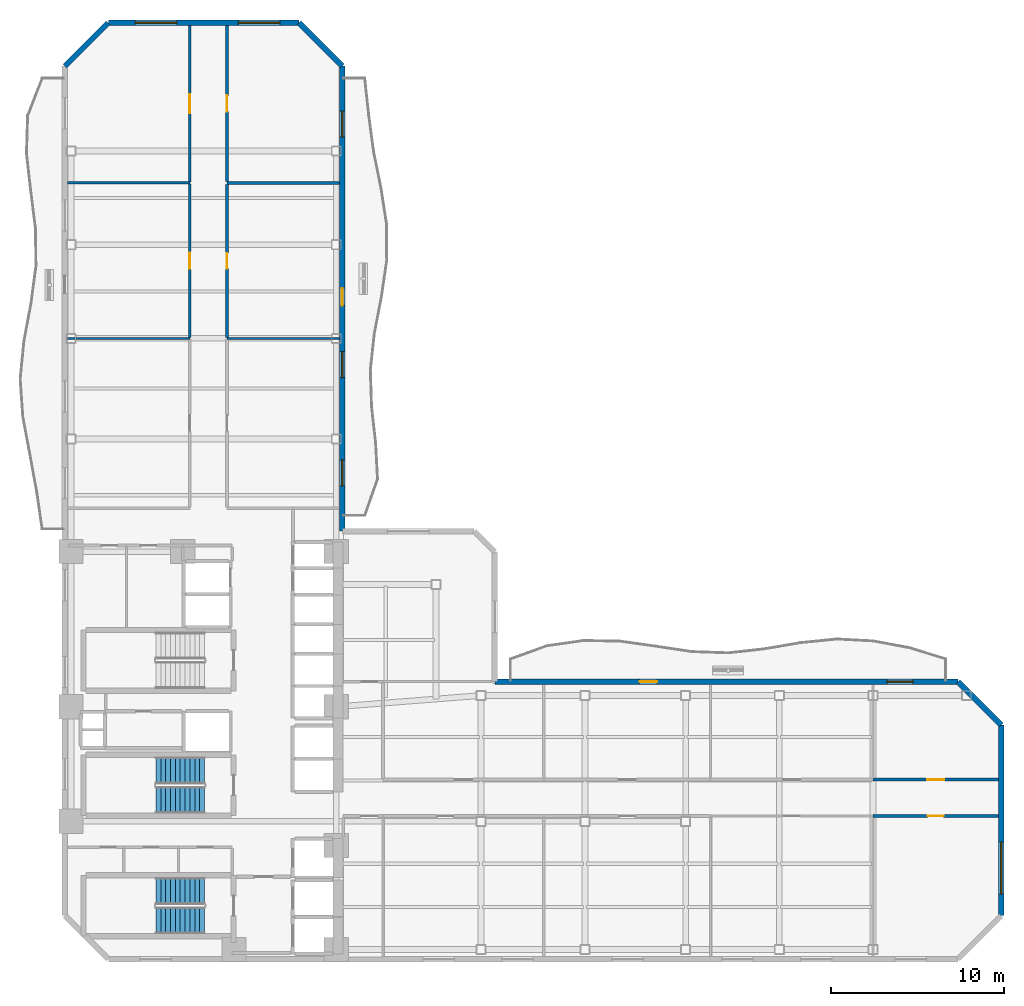
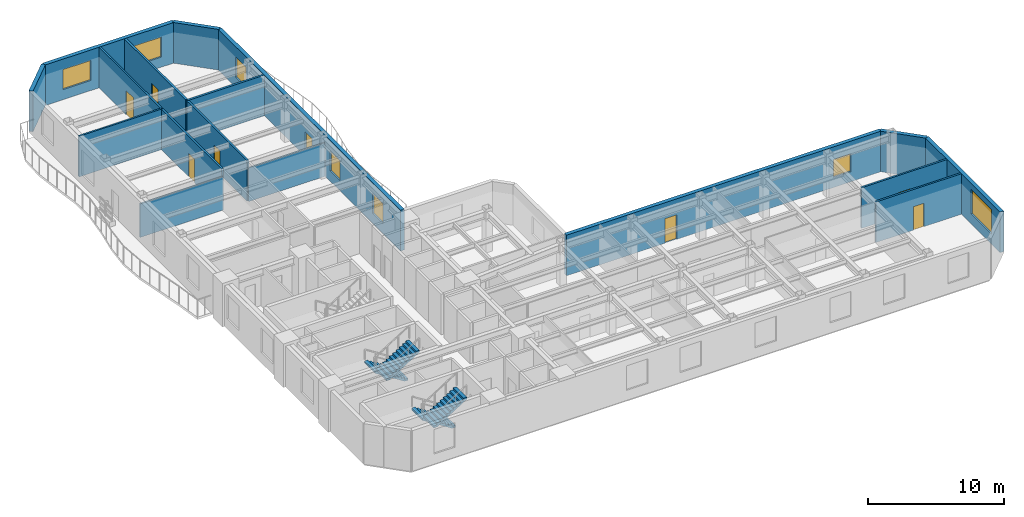
# One storey, part 6 of 10: 17 walls, 8 doors, 7 windows, 4 stair flights, 15 openings, 2 elements without a shape of their own.
"""IFC4 building model written with IfcOpenShell, lengths in metres."""

from ifc_helpers import new_model, si_unit, direction, frame, frame_2d, origin, place, context, subcontext, project, spatial, polyline, rectangle, outline, extrude, material, layer, layer_set, type_object, element, fill, aggregate, save


model = new_model("IFC4")

# Units and contexts
model_context = context("Model", 3, precision=1e-05, world=origin(), true_north=direction((0.0, 1.0)))
body_context = subcontext(model_context, "Body", "Model", "MODEL_VIEW")
ifc_project = project(units=[si_unit("LENGTHUNIT", "METRE"), si_unit("AREAUNIT", "SQUARE_METRE"), si_unit("VOLUMEUNIT", "CUBIC_METRE"), si_unit("PLANEANGLEUNIT", "RADIAN"), si_unit("MASSUNIT", "GRAM", prefix="KILO")], contexts=[model_context])

# Site, building, storey
site_placement = place(None, origin())
site = spatial("IfcSite", under=ifc_project, at=site_placement, CompositionType="ELEMENT")
building_placement = place(site_placement, origin())
building = spatial("IfcBuilding", under=site, at=building_placement, Name="Mawjaban Terraces University", CompositionType="ELEMENT")
storey_placement = place(building_placement, frame((0.0, 0.0, 89.5)))
storey = spatial("IfcBuildingStorey", under=building, at=storey_placement, Name="L21", CompositionType="ELEMENT", Elevation=89.5)

# Wall
ifc_material_1 = material(Name="Acoustic masonry blockwork", Category="masonry")
ifc_layer_1 = layer(ifc_material_1, 0.179931640625)
ifc_layer_set_1 = layer_set([ifc_layer_1], Name="Acoustic masonry blockwork")
wall_type_1 = type_object("IfcWallType", Name="AcousticStudioWall_180", PredefinedType="PARTITIONING", material=ifc_layer_set_1)
wall_1_placement = place(storey_placement, frame((37.844970703125, 44.760009765625, 0.0), z_axis=(0.0, 0.0, 1.0), x_axis=(-1.0, 0.0, 0.0)))
element("IfcWall", 1, at=wall_1_placement, inside=storey, type_object=wall_type_1, Name="L21 Reading Salon 13 Partition 17", PredefinedType="PARTITIONING", context=body_context, shape_type="SweptSolid", body=[
    extrude(rectangle(XDim=6.494873046875, YDim=0.179931640625, at=frame_2d((3.24755859375, 0.0))), origin(), (0.0, 0.0, 1.0), 3.639892578125),
])

# Wall, opening, door
wall_2_placement = place(storey_placement, frame((31.35009765625, 44.844970703125, 0.0), z_axis=(0.0, 0.0, 1.0), x_axis=(0.0, 1.0, 0.0)))
wall_2 = element("IfcWall", 2, at=wall_2_placement, inside=storey, type_object=wall_type_1, Name="L21 North Academic Spine Corridor Partition 39", PredefinedType="PARTITIONING", context=body_context, shape_type="SweptSolid", body=[
    extrude(rectangle(XDim=9.0, YDim=0.179931640625, at=frame_2d((4.5, 0.0))), origin(), (0.0, 0.0, 1.0), 3.639892578125),
])
opening_1_placement = place(wall_2_placement, frame((4.02490234375, 0.0, 0.0)))
opening_1 = element("IfcOpeningElement", 3, at=opening_1_placement, cuts=wall_2, Name="Opening ID-095", PredefinedType="OPENING", context=body_context, shape_type="SweptSolid", body=[
    extrude(rectangle(XDim=0.949951171875, YDim=2.10009765625, at=frame_2d((0.47509765625, 1.050048828125))), frame((0.0, 0.099853515625, 0.0), z_axis=(0.0, -1.0, 0.0), x_axis=(1.0, 0.0, 0.0)), (0.0, 0.0, 1.0), 0.199951171875),
])
ifc_material_2 = material(Name="Powder-coated steel frame and solid acoustic timber leaf", Category="steel")
door_type_1 = type_object("IfcDoorType", Name="StudioDoor_950x2100", OperationType="NOTDEFINED", PredefinedType="DOOR", material=ifc_material_2)
door_1_placement = place(opening_1_placement, origin())
door_1 = element("IfcDoor", 4, at=door_1_placement, inside=storey, type_object=door_type_1, Name="L21 Design Studio 15 Door", OperationType="SINGLE_SWING_LEFT", OverallHeight=2.10009765625, OverallWidth=0.949951171875, PredefinedType="DOOR", context=body_context, shape_type="SweptSolid", body=[
    extrude(rectangle(XDim=0.949951171875, YDim=2.10009765625, at=frame_2d((0.47509765625, 1.050048828125))), frame((0.0, 0.02490234375, 0.0), z_axis=(0.0, -1.0, 0.0), x_axis=(1.0, 0.0, 0.0)), (0.0, 0.0, 1.0), 0.050048828125),
])
fill(opening_1, door_1)

ifc_material_3 = material(Name="Fire-rated gypsum board on steel stud", Category="steel")
ifc_layer_2 = layer(ifc_material_3, 0.159912109375)
ifc_layer_set_2 = layer_set([ifc_layer_2], Name="Fire-rated gypsum board on steel stud")
wall_type_2 = type_object("IfcWallType", Name="CorridorPartition_160", PredefinedType="PARTITIONING", material=ifc_layer_set_2)
wall_3_placement = place(storey_placement, frame((68.60009765625, 8.25, 0.0), z_axis=(0.0, 0.0, 1.0), x_axis=(1.0, 0.0, 0.0)))
wall_3 = element("IfcWall", 5, at=wall_3_placement, inside=storey, type_object=wall_type_2, Name="L21 East Academic Spine Corridor Partition 26", PredefinedType="PARTITIONING", context=body_context, shape_type="SweptSolid", body=[
    extrude(rectangle(XDim=7.244873046875, YDim=0.159912109375, at=frame_2d((3.62255859375, 0.0))), origin(), (0.0, 0.0, 1.0), 3.639892578125),
])
opening_2_placement = place(wall_3_placement, frame((3.173095703125, 0.0, 0.0)))
opening_2 = element("IfcOpeningElement", 6, at=opening_2_placement, cuts=wall_3, Name="Opening ID-090", PredefinedType="OPENING", context=body_context, shape_type="SweptSolid", body=[
    extrude(rectangle(XDim=0.89990234375, YDim=2.10009765625, at=frame_2d((0.449951171875, 1.050048828125))), frame((0.0, 0.08984375, 0.0), z_axis=(0.0, -1.0, 0.0), x_axis=(1.0, 0.0, 0.0)), (0.0, 0.0, 1.0), 0.179931640625),
])
door_type_2 = type_object("IfcDoorType", Name="OfficeDoor_900x2100", OperationType="NOTDEFINED", PredefinedType="DOOR", material=ifc_material_2)
door_2_placement = place(opening_2_placement, origin())
door_2 = element("IfcDoor", 7, at=door_2_placement, inside=storey, type_object=door_type_2, Name="L21 Seminar Room 8 Door", OperationType="SINGLE_SWING_RIGHT", OverallHeight=2.10009765625, OverallWidth=0.89990234375, PredefinedType="DOOR", context=body_context, shape_type="SweptSolid", body=[
    extrude(rectangle(XDim=0.89990234375, YDim=2.10009765625, at=frame_2d((0.449951171875, 1.050048828125))), frame((0.0, 0.02490234375, 0.0), z_axis=(0.0, -1.0, 0.0), x_axis=(1.0, 0.0, 0.0)), (0.0, 0.0, 1.0), 0.050048828125),
])
fill(opening_2, door_2)

wall_4_placement = place(storey_placement, frame((75.844970703125, 10.35009765625, 0.0), z_axis=(0.0, 0.0, 1.0), x_axis=(-1.0, 0.0, 0.0)))
wall_4 = element("IfcWall", 8, at=wall_4_placement, inside=storey, type_object=wall_type_2, Name="L21 East Academic Spine Corridor Partition 28", PredefinedType="PARTITIONING", context=body_context, shape_type="SweptSolid", body=[
    extrude(rectangle(XDim=7.244873046875, YDim=0.159912109375, at=frame_2d((3.62255859375, 0.0))), origin(), (0.0, 0.0, 1.0), 3.639892578125),
])
opening_3_placement = place(wall_4_placement, frame((3.123046875, 0.0, 0.0)))
opening_3 = element("IfcOpeningElement", 9, at=opening_3_placement, cuts=wall_4, Name="Opening ID-100", PredefinedType="OPENING", context=body_context, shape_type="SweptSolid", body=[
    extrude(rectangle(XDim=1.0, YDim=2.10009765625, at=frame_2d((0.5, 1.050048828125))), frame((0.0, 0.08984375, 0.0), z_axis=(0.0, -1.0, 0.0), x_axis=(1.0, 0.0, 0.0)), (0.0, 0.0, 1.0), 0.179931640625),
])
door_type_3 = type_object("IfcDoorType", Name="ClassroomDoor_1000x2100", OperationType="NOTDEFINED", PredefinedType="DOOR", material=ifc_material_2)
door_3_placement = place(opening_3_placement, origin())
door_3 = element("IfcDoor", 10, at=door_3_placement, inside=storey, type_object=door_type_3, Name="L21 Tutorial Room 9 Door", OperationType="SINGLE_SWING_LEFT", OverallHeight=2.10009765625, OverallWidth=1.0, PredefinedType="DOOR", context=body_context, shape_type="SweptSolid", body=[
    extrude(rectangle(XDim=1.0, YDim=2.10009765625, at=frame_2d((0.5, 1.050048828125))), frame((0.0, 0.02490234375, 0.0), z_axis=(0.0, -1.0, 0.0), x_axis=(1.0, 0.0, 0.0)), (0.0, 0.0, 1.0), 0.050048828125),
])
fill(opening_3, door_3)

wall_5_placement = place(storey_placement, frame((29.199951171875, 44.69189453125, 0.0), z_axis=(0.0, 0.0, 1.0), x_axis=(0.0, -1.0, 0.0)))
wall_5 = element("IfcWall", 11, at=wall_5_placement, inside=storey, type_object=wall_type_2, Name="L21 North Academic Spine Corridor Partition 35", PredefinedType="PARTITIONING", context=body_context, shape_type="SweptSolid", body=[
    extrude(rectangle(XDim=8.8349609375, YDim=0.159912109375, at=frame_2d((4.41748046875, 0.0))), origin(), (0.0, 0.0, 1.0), 3.639892578125),
])
opening_4_placement = place(wall_5_placement, frame((3.968017578125, 0.0, 0.0)))
opening_4 = element("IfcOpeningElement", 12, at=opening_4_placement, cuts=wall_5, Name="Opening ID-090", PredefinedType="OPENING", context=body_context, shape_type="SweptSolid", body=[
    extrude(rectangle(XDim=0.89990234375, YDim=2.10009765625, at=frame_2d((0.449951171875, 1.050048828125))), frame((0.0, 0.08984375, 0.0), z_axis=(0.0, -1.0, 0.0), x_axis=(1.0, 0.0, 0.0)), (0.0, 0.0, 1.0), 0.179931640625),
])
door_4_placement = place(opening_4_placement, origin())
door_4 = element("IfcDoor", 13, at=door_4_placement, inside=storey, type_object=door_type_2, Name="L21 Quiet Reading Room 12 Door", OperationType="SINGLE_SWING_RIGHT", OverallHeight=2.10009765625, OverallWidth=0.89990234375, PredefinedType="DOOR", context=body_context, shape_type="SweptSolid", body=[
    extrude(rectangle(XDim=0.89990234375, YDim=2.10009765625, at=frame_2d((0.449951171875, 1.050048828125))), frame((0.0, 0.02490234375, 0.0), z_axis=(0.0, -1.0, 0.0), x_axis=(1.0, 0.0, 0.0)), (0.0, 0.0, 1.0), 0.050048828125),
])
fill(opening_4, door_4)

wall_6_placement = place(storey_placement, frame((31.35009765625, 35.85693359375, 0.0), z_axis=(0.0, 0.0, 1.0), x_axis=(0.0, 1.0, 0.0)))
wall_6 = element("IfcWall", 14, at=wall_6_placement, inside=storey, type_object=wall_type_2, Name="L21 North Academic Spine Corridor Partition 38", PredefinedType="PARTITIONING", context=body_context, shape_type="SweptSolid", body=[
    extrude(rectangle(XDim=8.818115234375, YDim=0.159912109375, at=frame_2d((4.4091796875, 0.0))), origin(), (0.0, 0.0, 1.0), 3.639892578125),
])
opening_5_placement = place(wall_6_placement, frame((3.958984375, 0.0, 0.0)))
opening_5 = element("IfcOpeningElement", 15, at=opening_5_placement, cuts=wall_6, Name="Opening ID-090", PredefinedType="OPENING", context=body_context, shape_type="SweptSolid", body=[
    extrude(rectangle(XDim=0.89990234375, YDim=2.10009765625, at=frame_2d((0.449951171875, 1.050048828125))), frame((0.0, 0.08984375, 0.0), z_axis=(0.0, -1.0, 0.0), x_axis=(1.0, 0.0, 0.0)), (0.0, 0.0, 1.0), 0.179931640625),
])
door_5_placement = place(opening_5_placement, origin())
door_5 = element("IfcDoor", 16, at=door_5_placement, inside=storey, type_object=door_type_2, Name="L21 Reading Salon 13 Door", OperationType="SINGLE_SWING_LEFT", OverallHeight=2.10009765625, OverallWidth=0.89990234375, PredefinedType="DOOR", context=body_context, shape_type="SweptSolid", body=[
    extrude(rectangle(XDim=0.89990234375, YDim=2.10009765625, at=frame_2d((0.449951171875, 1.050048828125))), frame((0.0, 0.02490234375, 0.0), z_axis=(0.0, -1.0, 0.0), x_axis=(1.0, 0.0, 0.0)), (0.0, 0.0, 1.0), 0.050048828125),
])
fill(opening_5, door_5)

# Wall, opening, window
ifc_material_4 = material(Name="Insulated terracotta rainscreen on concrete backup C40/50", Category="masonry")
ifc_layer_3 = layer(ifc_material_4, 0.320068359375)
ifc_layer_set_3 = layer_set([ifc_layer_3], Name="Insulated terracotta rainscreen on concrete backup C40/50")
wall_type_3 = type_object("IfcWallType", Name="ExtTerracottaWall_320", PredefinedType="SOLIDWALL", material=ifc_layer_set_3)
wall_7_placement = place(storey_placement, frame((76.0, 2.5, 0.0), z_axis=(0.0, 0.0, 1.0), x_axis=(0.0, 1.0, 0.0)))
wall_7 = element("IfcWall", 17, at=wall_7_placement, inside=storey, type_object=wall_type_3, Name="L21 Exterior Terracotta Wall 3", PredefinedType="SOLIDWALL", context=body_context, shape_type="SweptSolid", body=[
    extrude(rectangle(XDim=11.0, YDim=0.320068359375, at=frame_2d((5.5, 0.0))), origin(), (0.0, 0.0, 1.0), 3.639892578125),
])
opening_6_placement = place(wall_7_placement, frame((1.25, 0.0, 0.89990234375)))
opening_6 = element("IfcOpeningElement", 18, at=opening_6_placement, cuts=wall_7, Name="Opening W-12", PredefinedType="OPENING", context=body_context, shape_type="SweptSolid", body=[
    extrude(rectangle(XDim=3.0, YDim=2.199951171875, at=frame_2d((1.5, 1.10009765625))), frame((0.0, 0.169921875, 0.0), z_axis=(0.0, -1.0, 0.0), x_axis=(1.0, 0.0, 0.0)), (0.0, 0.0, 1.0), 0.340087890625),
])
ifc_material_5 = material(Name="Low-E solar-control double glazing in thermally broken aluminium frame", Category="aluminium")
window_type_1 = type_object("IfcWindowType", Name="Win_3000x2200", PartitioningType="SINGLE_PANEL", PredefinedType="WINDOW", material=ifc_material_5)
window_1_placement = place(opening_6_placement, origin())
window_1 = element("IfcWindow", 19, at=window_1_placement, inside=storey, type_object=window_type_1, Name="L21 Facade Window 3.1", OverallHeight=2.199951171875, OverallWidth=3.0, PartitioningType="SINGLE_PANEL", PredefinedType="WINDOW", context=body_context, shape_type="SweptSolid", body=[
    extrude(rectangle(XDim=3.0, YDim=2.199951171875, at=frame_2d((1.5, 1.10009765625))), frame((0.0, 0.030029296875, 0.0), z_axis=(0.0, -1.0, 0.0), x_axis=(1.0, 0.0, 0.0)), (0.0, 0.0, 1.0), 0.06005859375),
])
fill(opening_6, window_1)

# Wall
wall_8_placement = place(storey_placement, frame((76.0, 13.5, 0.0), z_axis=(0.0, 0.0, 1.0), x_axis=(-0.707106781187, 0.707106781187, 0.0)))
element("IfcWall", 20, at=wall_8_placement, inside=storey, type_object=wall_type_3, Name="L21 Exterior Terracotta Wall 4", PredefinedType="SOLIDWALL", context=body_context, shape_type="SweptSolid", body=[
    extrude(rectangle(XDim=3.53564453125, YDim=0.320068359375, at=frame_2d((1.767822265625, 0.0))), origin(), (0.0, 0.0, 1.0), 3.639892578125),
])

# Wall, openings, door, window
wall_9_placement = place(storey_placement, frame((73.5, 16.0, 0.0), z_axis=(0.0, 0.0, 1.0), x_axis=(-1.0, 0.0, 0.0)))
wall_9 = element("IfcWall", 21, at=wall_9_placement, inside=storey, type_object=wall_type_3, Name="L21 Exterior Terracotta Wall 5", PredefinedType="SOLIDWALL", context=body_context, shape_type="SweptSolid", body=[
    extrude(rectangle(XDim=26.699951171875, YDim=0.320068359375, at=frame_2d((13.35009765625, 0.0))), origin(), (0.0, 0.0, 1.0), 3.639892578125),
])
opening_7_placement = place(wall_9_placement, frame((17.35009765625, 0.0, 0.0)))
opening_7 = element("IfcOpeningElement", 22, at=opening_7_placement, cuts=wall_9, Name="Opening BD-100", PredefinedType="OPENING", context=body_context, shape_type="SweptSolid", body=[
    extrude(rectangle(XDim=1.0, YDim=2.199951171875, at=frame_2d((0.5, 1.10009765625))), frame((0.0, 0.169921875, 0.0), z_axis=(0.0, -1.0, 0.0), x_axis=(1.0, 0.0, 0.0)), (0.0, 0.0, 1.0), 0.340087890625),
])
opening_8_placement = place(wall_9_placement, frame((2.587890625, 0.0, 0.89990234375)))
opening_8 = element("IfcOpeningElement", 23, at=opening_8_placement, cuts=wall_9, Name="Opening W-02", PredefinedType="OPENING", context=body_context, shape_type="SweptSolid", body=[
    extrude(rectangle(XDim=1.5, YDim=1.60009765625, at=frame_2d((0.75, 0.800048828125))), frame((0.0, 0.169921875, 0.0), z_axis=(0.0, -1.0, 0.0), x_axis=(1.0, 0.0, 0.0)), (0.0, 0.0, 1.0), 0.340087890625),
])
ifc_material_6 = material(Name="Thermally broken anodised aluminium and laminated safety glass", Category="aluminium")
door_type_4 = type_object("IfcDoorType", Name="BalconyGlazedDoor_1000x2200", OperationType="NOTDEFINED", PredefinedType="DOOR", material=ifc_material_6)
door_6_placement = place(opening_7_placement, origin())
door_6 = element("IfcDoor", 24, at=door_6_placement, inside=storey, type_object=door_type_4, Name="L21 Balcony Access Door inner_north", OperationType="SINGLE_SWING_RIGHT", OverallHeight=2.199951171875, OverallWidth=1.0, PredefinedType="DOOR", context=body_context, shape_type="SweptSolid", body=[
    extrude(rectangle(XDim=1.0, YDim=2.199951171875, at=frame_2d((0.5, 1.10009765625))), frame((0.0, 0.02490234375, 0.0), z_axis=(0.0, -1.0, 0.0), x_axis=(1.0, 0.0, 0.0)), (0.0, 0.0, 1.0), 0.050048828125),
])
fill(opening_7, door_6)
window_type_2 = type_object("IfcWindowType", Name="Win_1500x1600", PartitioningType="SINGLE_PANEL", PredefinedType="WINDOW", material=ifc_material_5)
window_2_placement = place(opening_8_placement, origin())
window_2 = element("IfcWindow", 25, at=window_2_placement, inside=storey, type_object=window_type_2, Name="L21 Facade Window 5.1", OverallHeight=1.60009765625, OverallWidth=1.5, PartitioningType="SINGLE_PANEL", PredefinedType="WINDOW", context=body_context, shape_type="SweptSolid", body=[
    extrude(rectangle(XDim=1.5, YDim=1.60009765625, at=frame_2d((0.75, 0.800048828125))), frame((0.0, 0.030029296875, 0.0), z_axis=(0.0, -1.0, 0.0), x_axis=(1.0, 0.0, 0.0)), (0.0, 0.0, 1.0), 0.06005859375),
])
fill(opening_8, window_2)

# Wall, openings, door, windows
wall_10_placement = place(storey_placement, frame((38.0, 24.68505859375, 0.0), z_axis=(0.0, 0.0, 1.0), x_axis=(0.0, 1.0, 0.0)))
wall_10 = element("IfcWall", 26, at=wall_10_placement, inside=storey, type_object=wall_type_3, Name="L21 Exterior Terracotta Wall 9", PredefinedType="SOLIDWALL", context=body_context, shape_type="SweptSolid", body=[
    extrude(rectangle(XDim=26.81494140625, YDim=0.320068359375, at=frame_2d((13.407470703125, 0.0))), origin(), (0.0, 0.0, 1.0), 3.639892578125),
])
opening_9_placement = place(wall_10_placement, frame((13.007080078125, 0.0, 0.0)))
opening_9 = element("IfcOpeningElement", 27, at=opening_9_placement, cuts=wall_10, Name="Opening BD-100", PredefinedType="OPENING", context=body_context, shape_type="SweptSolid", body=[
    extrude(rectangle(XDim=1.0, YDim=2.199951171875, at=frame_2d((0.5, 1.10009765625))), frame((0.0, 0.169921875, 0.0), z_axis=(0.0, -1.0, 0.0), x_axis=(1.0, 0.0, 0.0)), (0.0, 0.0, 1.0), 0.340087890625),
])
opening_10_placement = place(wall_10_placement, frame((2.60205078125, 0.0, 0.89990234375)))
opening_10 = element("IfcOpeningElement", 28, at=opening_10_placement, cuts=wall_10, Name="Opening W-06", PredefinedType="OPENING", context=body_context, shape_type="SweptSolid", body=[
    extrude(rectangle(XDim=1.5, YDim=1.800048828125, at=frame_2d((0.75, 0.89990234375))), frame((0.0, 0.169921875, 0.0), z_axis=(0.0, -1.0, 0.0), x_axis=(1.0, 0.0, 0.0)), (0.0, 0.0, 1.0), 0.340087890625),
])
opening_11_placement = place(wall_10_placement, frame((8.85595703125, 0.0, 0.89990234375)))
opening_11 = element("IfcOpeningElement", 29, at=opening_11_placement, cuts=wall_10, Name="Opening W-06", PredefinedType="OPENING", context=body_context, shape_type="SweptSolid", body=[
    extrude(rectangle(XDim=1.5, YDim=1.800048828125, at=frame_2d((0.75, 0.89990234375))), frame((0.0, 0.169921875, 0.0), z_axis=(0.0, -1.0, 0.0), x_axis=(1.0, 0.0, 0.0)), (0.0, 0.0, 1.0), 0.340087890625),
])
opening_12_placement = place(wall_10_placement, frame((22.712890625, 0.0, 0.89990234375)))
opening_12 = element("IfcOpeningElement", 30, at=opening_12_placement, cuts=wall_10, Name="Opening W-06", PredefinedType="OPENING", context=body_context, shape_type="SweptSolid", body=[
    extrude(rectangle(XDim=1.5, YDim=1.800048828125, at=frame_2d((0.75, 0.89990234375))), frame((0.0, 0.169921875, 0.0), z_axis=(0.0, -1.0, 0.0), x_axis=(1.0, 0.0, 0.0)), (0.0, 0.0, 1.0), 0.340087890625),
])
door_7_placement = place(opening_9_placement, origin())
door_7 = element("IfcDoor", 31, at=door_7_placement, inside=storey, type_object=door_type_4, Name="L21 Balcony Access Door inner_east", OperationType="SINGLE_SWING_RIGHT", OverallHeight=2.199951171875, OverallWidth=1.0, PredefinedType="DOOR", context=body_context, shape_type="SweptSolid", body=[
    extrude(rectangle(XDim=1.0, YDim=2.199951171875, at=frame_2d((0.5, 1.10009765625))), frame((0.0, 0.02490234375, 0.0), z_axis=(0.0, -1.0, 0.0), x_axis=(1.0, 0.0, 0.0)), (0.0, 0.0, 1.0), 0.050048828125),
])
fill(opening_9, door_7)
window_type_3 = type_object("IfcWindowType", Name="Win_1500x1800", PartitioningType="SINGLE_PANEL", PredefinedType="WINDOW", material=ifc_material_5)
window_3_placement = place(opening_10_placement, origin())
window_3 = element("IfcWindow", 32, at=window_3_placement, inside=storey, type_object=window_type_3, Name="L21 Facade Window 9.1", OverallHeight=1.800048828125, OverallWidth=1.5, PartitioningType="SINGLE_PANEL", PredefinedType="WINDOW", context=body_context, shape_type="SweptSolid", body=[
    extrude(rectangle(XDim=1.5, YDim=1.800048828125, at=frame_2d((0.75, 0.89990234375))), frame((0.0, 0.030029296875, 0.0), z_axis=(0.0, -1.0, 0.0), x_axis=(1.0, 0.0, 0.0)), (0.0, 0.0, 1.0), 0.06005859375),
])
fill(opening_10, window_3)
window_4_placement = place(opening_11_placement, origin())
window_4 = element("IfcWindow", 33, at=window_4_placement, inside=storey, type_object=window_type_3, Name="L21 Facade Window 9.2", OverallHeight=1.800048828125, OverallWidth=1.5, PartitioningType="SINGLE_PANEL", PredefinedType="WINDOW", context=body_context, shape_type="SweptSolid", body=[
    extrude(rectangle(XDim=1.5, YDim=1.800048828125, at=frame_2d((0.75, 0.89990234375))), frame((0.0, 0.030029296875, 0.0), z_axis=(0.0, -1.0, 0.0), x_axis=(1.0, 0.0, 0.0)), (0.0, 0.0, 1.0), 0.06005859375),
])
fill(opening_11, window_4)
window_5_placement = place(opening_12_placement, origin())
window_5 = element("IfcWindow", 34, at=window_5_placement, inside=storey, type_object=window_type_3, Name="L21 Facade Window 9.4", OverallHeight=1.800048828125, OverallWidth=1.5, PartitioningType="SINGLE_PANEL", PredefinedType="WINDOW", context=body_context, shape_type="SweptSolid", body=[
    extrude(rectangle(XDim=1.5, YDim=1.800048828125, at=frame_2d((0.75, 0.89990234375))), frame((0.0, 0.030029296875, 0.0), z_axis=(0.0, -1.0, 0.0), x_axis=(1.0, 0.0, 0.0)), (0.0, 0.0, 1.0), 0.06005859375),
])
fill(opening_12, window_5)

# Wall
wall_11_placement = place(storey_placement, frame((38.0, 51.5, 0.0), z_axis=(0.0, 0.0, 1.0), x_axis=(-0.707106781187, 0.707106781187, 0.0)))
element("IfcWall", 35, at=wall_11_placement, inside=storey, type_object=wall_type_3, Name="L21 Exterior Terracotta Wall 10", PredefinedType="SOLIDWALL", context=body_context, shape_type="SweptSolid", body=[
    extrude(rectangle(XDim=3.53564453125, YDim=0.320068359375, at=frame_2d((1.767822265625, 0.0))), origin(), (0.0, 0.0, 1.0), 3.639892578125),
])

# Wall, openings, windows
wall_12_placement = place(storey_placement, frame((35.5, 54.0, 0.0), z_axis=(0.0, 0.0, 1.0), x_axis=(-1.0, 0.0, 0.0)))
wall_12 = element("IfcWall", 36, at=wall_12_placement, inside=storey, type_object=wall_type_3, Name="L21 Exterior Terracotta Wall 11", PredefinedType="SOLIDWALL", context=body_context, shape_type="SweptSolid", body=[
    extrude(rectangle(XDim=11.0, YDim=0.320068359375, at=frame_2d((5.5, 0.0))), origin(), (0.0, 0.0, 1.0), 3.639892578125),
])
opening_13_placement = place(wall_12_placement, frame((1.10009765625, 0.0, 0.89990234375)))
opening_13 = element("IfcOpeningElement", 37, at=opening_13_placement, cuts=wall_12, Name="Opening W-08", PredefinedType="OPENING", context=body_context, shape_type="SweptSolid", body=[
    extrude(rectangle(XDim=2.39990234375, YDim=1.800048828125, at=frame_2d((1.199951171875, 0.89990234375))), frame((0.0, 0.169921875, 0.0), z_axis=(0.0, -1.0, 0.0), x_axis=(1.0, 0.0, 0.0)), (0.0, 0.0, 1.0), 0.340087890625),
])
opening_14_placement = place(wall_12_placement, frame((7.050048828125, 0.0, 0.89990234375)))
opening_14 = element("IfcOpeningElement", 38, at=opening_14_placement, cuts=wall_12, Name="Opening W-08", PredefinedType="OPENING", context=body_context, shape_type="SweptSolid", body=[
    extrude(rectangle(XDim=2.39990234375, YDim=1.800048828125, at=frame_2d((1.199951171875, 0.89990234375))), frame((0.0, 0.169921875, 0.0), z_axis=(0.0, -1.0, 0.0), x_axis=(1.0, 0.0, 0.0)), (0.0, 0.0, 1.0), 0.340087890625),
])
window_type_4 = type_object("IfcWindowType", Name="Win_2400x1800", PartitioningType="SINGLE_PANEL", PredefinedType="WINDOW", material=ifc_material_5)
window_6_placement = place(opening_13_placement, origin())
window_6 = element("IfcWindow", 39, at=window_6_placement, inside=storey, type_object=window_type_4, Name="L21 Facade Window 11.1", OverallHeight=1.800048828125, OverallWidth=2.39990234375, PartitioningType="SINGLE_PANEL", PredefinedType="WINDOW", context=body_context, shape_type="SweptSolid", body=[
    extrude(rectangle(XDim=2.39990234375, YDim=1.800048828125, at=frame_2d((1.199951171875, 0.89990234375))), frame((0.0, 0.030029296875, 0.0), z_axis=(0.0, -1.0, 0.0), x_axis=(1.0, 0.0, 0.0)), (0.0, 0.0, 1.0), 0.06005859375),
])
fill(opening_13, window_6)
window_7_placement = place(opening_14_placement, origin())
window_7 = element("IfcWindow", 40, at=window_7_placement, inside=storey, type_object=window_type_4, Name="L21 Facade Window 11.2", OverallHeight=1.800048828125, OverallWidth=2.39990234375, PartitioningType="SINGLE_PANEL", PredefinedType="WINDOW", context=body_context, shape_type="SweptSolid", body=[
    extrude(rectangle(XDim=2.39990234375, YDim=1.800048828125, at=frame_2d((1.199951171875, 0.89990234375))), frame((0.0, 0.030029296875, 0.0), z_axis=(0.0, -1.0, 0.0), x_axis=(1.0, 0.0, 0.0)), (0.0, 0.0, 1.0), 0.06005859375),
])
fill(opening_14, window_7)

# Walls
wall_13_placement = place(storey_placement, frame((24.5, 54.0, 0.0), z_axis=(0.0, 0.0, 1.0), x_axis=(-0.707106781187, -0.707106781187, 0.0)))
element("IfcWall", 41, at=wall_13_placement, inside=storey, type_object=wall_type_3, Name="L21 Exterior Terracotta Wall 12", PredefinedType="SOLIDWALL", context=body_context, shape_type="SweptSolid", body=[
    extrude(rectangle(XDim=3.53564453125, YDim=0.320068359375, at=frame_2d((1.767822265625, 0.0))), origin(), (0.0, 0.0, 1.0), 3.639892578125),
])
ifc_material_7 = material(Name="Moisture-resistant gypsum board on steel stud", Category="steel")
ifc_layer_4 = layer(ifc_material_7, 0.14501953125)
ifc_layer_set_4 = layer_set([ifc_layer_4], Name="Moisture-resistant gypsum board on steel stud")
wall_type_4 = type_object("IfcWallType", Name="LabPartition_145", PredefinedType="PARTITIONING", material=ifc_layer_set_4)
wall_14_placement = place(storey_placement, frame((29.199951171875, 44.760009765625, 0.0), z_axis=(0.0, 0.0, 1.0), x_axis=(-1.0, 0.0, 0.0)))
element("IfcWall", 42, at=wall_14_placement, inside=storey, type_object=wall_type_4, Name="L21 Quiet Reading Room 12 Partition 11", PredefinedType="PARTITIONING", context=body_context, shape_type="SweptSolid", body=[
    extrude(rectangle(XDim=7.044921875, YDim=0.14501953125, at=frame_2d((3.5224609375, 0.0))), origin(), (0.0, 0.0, 1.0), 3.639892578125),
])

# Wall, opening, door
wall_15_placement = place(storey_placement, frame((29.199951171875, 53.844970703125, 0.0), z_axis=(0.0, 0.0, 1.0), x_axis=(0.0, -1.0, 0.0)))
wall_15 = element("IfcWall", 43, at=wall_15_placement, inside=storey, type_object=wall_type_4, Name="L21 North Academic Spine Corridor Partition 36", PredefinedType="PARTITIONING", context=body_context, shape_type="SweptSolid", body=[
    extrude(rectangle(XDim=9.01708984375, YDim=0.14501953125, at=frame_2d((4.508544921875, 0.0))), origin(), (0.0, 0.0, 1.0), 3.639892578125),
])
opening_15_placement = place(wall_15_placement, frame((3.9580078125, 0.0, 0.0)))
opening_15 = element("IfcOpeningElement", 44, at=opening_15_placement, cuts=wall_15, Name="Opening ID-110", PredefinedType="OPENING", context=body_context, shape_type="SweptSolid", body=[
    extrude(rectangle(XDim=1.10009765625, YDim=2.14990234375, at=frame_2d((0.550048828125, 1.074951171875))), frame((0.0, 0.08251953125, 0.0), z_axis=(0.0, -1.0, 0.0), x_axis=(1.0, 0.0, 0.0)), (0.0, 0.0, 1.0), 0.1650390625),
])
door_type_5 = type_object("IfcDoorType", Name="LabDoor_1100x2150", OperationType="NOTDEFINED", PredefinedType="DOOR", material=ifc_material_2)
door_8_placement = place(opening_15_placement, origin())
door_8 = element("IfcDoor", 45, at=door_8_placement, inside=storey, type_object=door_type_5, Name="L21 Teaching Laboratory 14 Door", OperationType="SINGLE_SWING_RIGHT", OverallHeight=2.14990234375, OverallWidth=1.10009765625, PredefinedType="DOOR", context=body_context, shape_type="SweptSolid", body=[
    extrude(rectangle(XDim=1.10009765625, YDim=2.14990234375, at=frame_2d((0.550048828125, 1.074951171875))), frame((0.0, 0.02490234375, 0.0), z_axis=(0.0, -1.0, 0.0), x_axis=(1.0, 0.0, 0.0)), (0.0, 0.0, 1.0), 0.050048828125),
])
fill(opening_15, door_8)

# Walls
ifc_material_8 = material(Name="Gypsum plasterboard on steel stud", Category="steel")
ifc_layer_5 = layer(ifc_material_8, 0.125)
ifc_layer_set_5 = layer_set([ifc_layer_5], Name="Gypsum plasterboard on steel stud")
wall_type_5 = type_object("IfcWallType", Name="OfficePartition_125", PredefinedType="PARTITIONING", material=ifc_layer_set_5)
wall_16_placement = place(storey_placement, frame((29.199951171875, 35.800048828125, 0.0), z_axis=(0.0, 0.0, 1.0), x_axis=(-1.0, 0.0, 0.0)))
element("IfcWall", 46, at=wall_16_placement, inside=storey, type_object=wall_type_5, Name="L21 Student Tea Pantry 10 Partition 10", PredefinedType="PARTITIONING", context=body_context, shape_type="SweptSolid", body=[
    extrude(rectangle(XDim=7.044921875, YDim=0.125, at=frame_2d((3.5224609375, 0.0))), origin(), (0.0, 0.0, 1.0), 3.0048828125),
])
wall_17_placement = place(storey_placement, frame((37.844970703125, 35.800048828125, 0.0), z_axis=(0.0, 0.0, 1.0), x_axis=(-1.0, 0.0, 0.0)))
element("IfcWall", 47, at=wall_17_placement, inside=storey, type_object=wall_type_5, Name="L21 Student Tea Pantry 11 Partition 16", PredefinedType="PARTITIONING", context=body_context, shape_type="SweptSolid", body=[
    extrude(rectangle(XDim=6.494873046875, YDim=0.125, at=frame_2d((3.24755859375, 0.0))), origin(), (0.0, 0.0, 1.0), 3.0048828125),
])

# Stair, stair flights
ifc_material_9 = material(Name="Concrete C40/50", Category="concrete")
stair_type = type_object("IfcStairType", Name="Stair_Core1550_H39", PredefinedType="HALF_TURN_STAIR", material=ifc_material_9)
stair_1_placement = place(storey_placement, origin())
stair_1 = element("IfcStair", 48, at=stair_1_placement, inside=storey, type_object=stair_type, Name="L21 Core Exit Stair 1", PredefinedType="HALF_TURN_STAIR")
stair_flight_type = type_object("IfcStairFlightType", Name="Flight_Core1550_H39", PredefinedType="STRAIGHT", material=ifc_material_9)
stair_flight_1_placement = place(storey_placement, frame((30.050048828125, 3.925048828125, 0.0), z_axis=(0.0, 0.0, 1.0), x_axis=(-1.0, 0.0, 0.0)))
stair_flight_1 = element("IfcStairFlight", 49, at=stair_flight_1_placement, type_object=stair_flight_type, Name="ST-1 flight 1", NumberOfRisers=11, NumberOfTreads=10, PredefinedType="STRAIGHT", RiserHeight=0.177272727, TreadLength=0.28, context=body_context, shape_type="SweptSolid", body=[
    extrude(outline(polyline([(0.0, 0.0), (0.0, 0.17724609375), (0.280029296875, 0.17724609375), (0.280029296875, 0.3544921875), (0.56005859375, 0.3544921875), (0.56005859375, 0.53173828125), (0.840087890625, 0.53173828125), (0.840087890625, 0.708984375), (1.1201171875, 0.708984375), (1.1201171875, 0.886474609375), (1.39990234375, 0.886474609375), (1.39990234375, 1.063720703125), (1.679931640625, 1.063720703125), (1.679931640625, 1.240966796875), (1.9599609375, 1.240966796875), (1.9599609375, 1.418212890625), (2.239990234375, 1.418212890625), (2.239990234375, 1.595458984375), (2.52001953125, 1.595458984375), (2.52001953125, 1.772705078125), (2.800048828125, 1.772705078125), (2.800048828125, 1.949951171875), (2.800048828125, 1.59521484375), (0.2802734375, 0.0), (0.0, 0.0)])), frame((0.0, 0.77490234375, 0.0), z_axis=(0.0, -1.0, 0.0), x_axis=(1.0, 0.0, 0.0)), (0.0, 0.0, 1.0), 1.550048828125),
])
stair_flight_2_placement = place(storey_placement, frame((27.25, 2.22509765625, 1.949951171875), z_axis=(0.0, 0.0, 1.0), x_axis=(1.0, 0.0, 0.0)))
stair_flight_2 = element("IfcStairFlight", 50, at=stair_flight_2_placement, type_object=stair_flight_type, Name="ST-1 flight 2", NumberOfRisers=11, NumberOfTreads=10, PredefinedType="STRAIGHT", RiserHeight=0.177272727, TreadLength=0.28, context=body_context, shape_type="SweptSolid", body=[
    extrude(outline(polyline([(0.0, 0.0), (0.0, 0.17724609375), (0.280029296875, 0.17724609375), (0.280029296875, 0.3544921875), (0.56005859375, 0.3544921875), (0.56005859375, 0.53173828125), (0.840087890625, 0.53173828125), (0.840087890625, 0.708984375), (1.1201171875, 0.708984375), (1.1201171875, 0.886474609375), (1.39990234375, 0.886474609375), (1.39990234375, 1.063720703125), (1.679931640625, 1.063720703125), (1.679931640625, 1.240966796875), (1.9599609375, 1.240966796875), (1.9599609375, 1.418212890625), (2.239990234375, 1.418212890625), (2.239990234375, 1.595458984375), (2.52001953125, 1.595458984375), (2.52001953125, 1.772705078125), (2.800048828125, 1.772705078125), (2.800048828125, 1.949951171875), (2.800048828125, 1.59521484375), (0.2802734375, 0.0), (0.0, 0.0)])), frame((0.0, 0.77490234375, 0.0), z_axis=(0.0, -1.0, 0.0), x_axis=(1.0, 0.0, 0.0)), (0.0, 0.0, 1.0), 1.550048828125),
])
aggregate(stair_1, [stair_flight_1, stair_flight_2])

stair_2_placement = place(storey_placement, origin())
stair_2 = element("IfcStair", 51, at=stair_2_placement, inside=storey, type_object=stair_type, Name="L21 Core Exit Stair 3", PredefinedType="HALF_TURN_STAIR")
stair_flight_3_placement = place(storey_placement, frame((30.050048828125, 10.875, 0.0), z_axis=(0.0, 0.0, 1.0), x_axis=(-1.0, 0.0, 0.0)))
stair_flight_3 = element("IfcStairFlight", 52, at=stair_flight_3_placement, type_object=stair_flight_type, Name="ST-3 flight 1", NumberOfRisers=11, NumberOfTreads=10, PredefinedType="STRAIGHT", RiserHeight=0.177272727, TreadLength=0.28, context=body_context, shape_type="SweptSolid", body=[
    extrude(outline(polyline([(0.0, 0.0), (0.0, 0.17724609375), (0.280029296875, 0.17724609375), (0.280029296875, 0.3544921875), (0.56005859375, 0.3544921875), (0.56005859375, 0.53173828125), (0.840087890625, 0.53173828125), (0.840087890625, 0.708984375), (1.1201171875, 0.708984375), (1.1201171875, 0.886474609375), (1.39990234375, 0.886474609375), (1.39990234375, 1.063720703125), (1.679931640625, 1.063720703125), (1.679931640625, 1.240966796875), (1.9599609375, 1.240966796875), (1.9599609375, 1.418212890625), (2.239990234375, 1.418212890625), (2.239990234375, 1.595458984375), (2.52001953125, 1.595458984375), (2.52001953125, 1.772705078125), (2.800048828125, 1.772705078125), (2.800048828125, 1.949951171875), (2.800048828125, 1.59521484375), (0.2802734375, 0.0), (0.0, 0.0)])), frame((0.0, 0.77490234375, 0.0), z_axis=(0.0, -1.0, 0.0), x_axis=(1.0, 0.0, 0.0)), (0.0, 0.0, 1.0), 1.550048828125),
])
stair_flight_4_placement = place(storey_placement, frame((27.25, 9.175048828125, 1.949951171875), z_axis=(0.0, 0.0, 1.0), x_axis=(1.0, 0.0, 0.0)))
stair_flight_4 = element("IfcStairFlight", 53, at=stair_flight_4_placement, type_object=stair_flight_type, Name="ST-3 flight 2", NumberOfRisers=11, NumberOfTreads=10, PredefinedType="STRAIGHT", RiserHeight=0.177272727, TreadLength=0.28, context=body_context, shape_type="SweptSolid", body=[
    extrude(outline(polyline([(0.0, 0.0), (0.0, 0.17724609375), (0.280029296875, 0.17724609375), (0.280029296875, 0.3544921875), (0.56005859375, 0.3544921875), (0.56005859375, 0.53173828125), (0.840087890625, 0.53173828125), (0.840087890625, 0.708984375), (1.1201171875, 0.708984375), (1.1201171875, 0.886474609375), (1.39990234375, 0.886474609375), (1.39990234375, 1.063720703125), (1.679931640625, 1.063720703125), (1.679931640625, 1.240966796875), (1.9599609375, 1.240966796875), (1.9599609375, 1.418212890625), (2.239990234375, 1.418212890625), (2.239990234375, 1.595458984375), (2.52001953125, 1.595458984375), (2.52001953125, 1.772705078125), (2.800048828125, 1.772705078125), (2.800048828125, 1.949951171875), (2.800048828125, 1.59521484375), (0.2802734375, 0.0), (0.0, 0.0)])), frame((0.0, 0.77490234375, 0.0), z_axis=(0.0, -1.0, 0.0), x_axis=(1.0, 0.0, 0.0)), (0.0, 0.0, 1.0), 1.550048828125),
])
aggregate(stair_2, [stair_flight_3, stair_flight_4])

save(model, "model.ifc")
